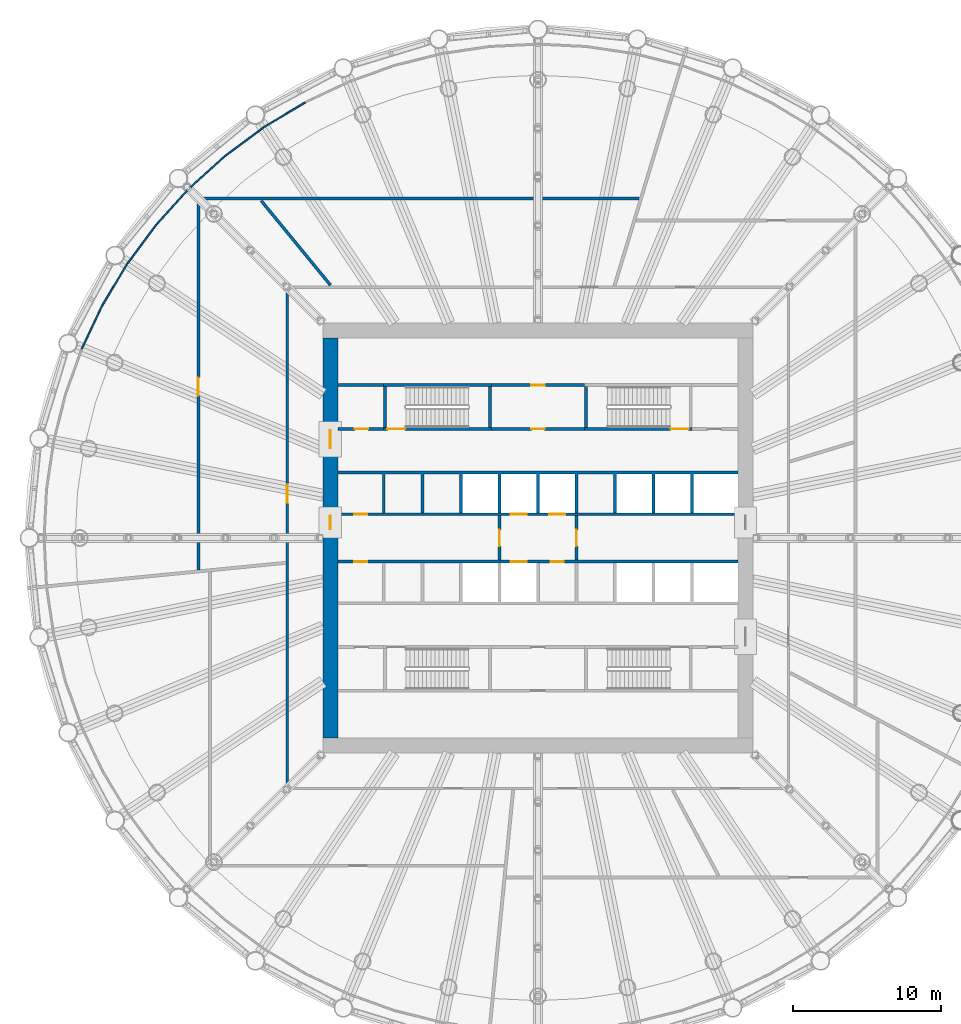
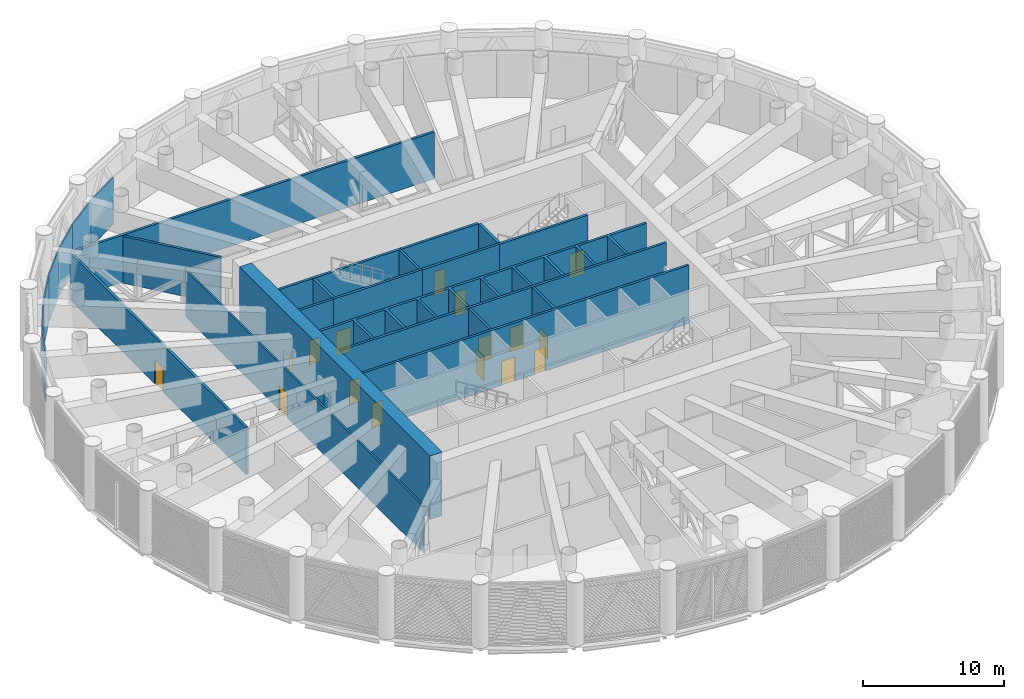
# One storey, part 13 of 29: 27 walls, 17 doors, 17 openings.
"""IFC4 building model written with IfcOpenShell, lengths in metres."""

from ifc_helpers import new_model, si_unit, direction, frame, frame_2d, origin, place, context, subcontext, project, spatial, polyline, rectangle, outline, extrude, material, layer, layer_set, type_object, element, fill, save


model = new_model("IFC4")

# Units and contexts
model_context = context("Model", 3, precision=1e-05, world=origin(), true_north=direction((0.0, 1.0)))
body_context = subcontext(model_context, "Body", "Model", "MODEL_VIEW")
ifc_project = project(units=[si_unit("LENGTHUNIT", "METRE"), si_unit("AREAUNIT", "SQUARE_METRE"), si_unit("VOLUMEUNIT", "CUBIC_METRE"), si_unit("PLANEANGLEUNIT", "RADIAN"), si_unit("MASSUNIT", "GRAM", prefix="KILO")], contexts=[model_context])

# Site, building, storey
site_placement = place(None, origin())
site = spatial("IfcSite", under=ifc_project, at=site_placement, CompositionType="ELEMENT")
building_placement = place(site_placement, origin())
building = spatial("IfcBuilding", under=site, at=building_placement, Name="Corvane Civic Tower", CompositionType="ELEMENT")
storey_placement = place(building_placement, frame((0.0, 0.0, 138.5)))
storey = spatial("IfcBuildingStorey", under=building, at=storey_placement, Name="L32", CompositionType="ELEMENT", Elevation=138.5)

# Wall, openings, doors
ifc_material_1 = material(Name="Concrete C70/85", Category="concrete")
ifc_layer_1 = layer(ifc_material_1, 1.0)
ifc_layer_set_1 = layer_set([ifc_layer_1], Name="Concrete C70/85")
wall_type_1 = type_object("IfcWallType", Name="CORE WALL 1000 C70/85", PredefinedType="SHEAR", material=ifc_layer_set_1)
wall_1_placement = place(storey_placement, frame((-14.0, -13.5, 0.0), z_axis=(0.0, 0.0, 1.0), x_axis=(0.0, 1.0, 0.0)))
wall_1 = element("IfcWall", 1, at=wall_1_placement, inside=storey, type_object=wall_type_1, Name="W-L32-core-W", PredefinedType="SHEAR", context=body_context, shape_type="SweptSolid", body=[
    extrude(rectangle(XDim=27.0, YDim=1.0, at=frame_2d((13.5, 0.0))), origin(), (0.0, 0.0, 1.0), 5.5),
])
opening_1_placement = place(wall_1_placement, frame((14.10009765625, 0.0, 0.0)))
opening_1 = element("IfcOpeningElement", 2, at=opening_1_placement, cuts=wall_1, Name="Opening L32.C18", PredefinedType="OPENING", context=body_context, shape_type="SweptSolid", body=[
    extrude(rectangle(XDim=0.89990234375, YDim=2.10009765625, at=frame_2d((0.449951171875, 1.050048828125))), frame((0.0, 0.510009765625, 0.0), z_axis=(0.0, -1.0, 0.0), x_axis=(1.0, 0.0, 0.0)), (0.0, 0.0, 1.0), 1.02001953125),
])
opening_2_placement = place(wall_1_placement, frame((19.550048828125, 0.0, 0.0)))
opening_2 = element("IfcOpeningElement", 3, at=opening_2_placement, cuts=wall_1, Name="Opening L32.C20", PredefinedType="OPENING", context=body_context, shape_type="SweptSolid", body=[
    extrude(rectangle(XDim=1.199951171875, YDim=2.10009765625, at=frame_2d((0.60009765625, 1.050048828125))), frame((0.0, 0.510009765625, 0.0), z_axis=(0.0, -1.0, 0.0), x_axis=(1.0, 0.0, 0.0)), (0.0, 0.0, 1.0), 1.02001953125),
])
ifc_material_2 = material(Name="Steel fire door leaf", Category="steel")
door_type_1 = type_object("IfcDoorType", Name="CR-DOOR-900", OperationType="SINGLE_SWING_LEFT", PredefinedType="DOOR", material=ifc_material_2)
door_1_placement = place(opening_1_placement, origin())
door_1 = element("IfcDoor", 4, at=door_1_placement, inside=storey, type_object=door_type_1, Name="L32 door", OperationType="SINGLE_SWING_LEFT", OverallHeight=2.10009765625, OverallWidth=0.89990234375, PredefinedType="DOOR", context=body_context, shape_type="SweptSolid", body=[
    extrude(rectangle(XDim=0.89990234375, YDim=2.10009765625, at=frame_2d((0.449951171875, 1.050048828125))), frame((0.0, 0.02490234375, 0.0), z_axis=(0.0, -1.0, 0.0), x_axis=(1.0, 0.0, 0.0)), (0.0, 0.0, 1.0), 0.050048828125),
])
fill(opening_1, door_1)
ifc_material_3 = material(Name="Steel fire door leaf", Category="steel")
door_type_2 = type_object("IfcDoorType", Name="CR-DOOR-CORE-1800", OperationType="DOUBLE_DOOR_SINGLE_SWING", PredefinedType="DOOR", material=ifc_material_3)
door_2_placement = place(opening_2_placement, origin())
door_2 = element("IfcDoor", 5, at=door_2_placement, inside=storey, type_object=door_type_2, Name="L32 door", OperationType="DOUBLE_DOOR_SINGLE_SWING", OverallHeight=2.10009765625, OverallWidth=1.199951171875, PredefinedType="DOOR", context=body_context, shape_type="SweptSolid", body=[
    extrude(rectangle(XDim=1.199951171875, YDim=2.10009765625, at=frame_2d((0.60009765625, 1.050048828125))), frame((0.0, 0.02490234375, 0.0), z_axis=(0.0, -1.0, 0.0), x_axis=(1.0, 0.0, 0.0)), (0.0, 0.0, 1.0), 0.050048828125),
])
fill(opening_2, door_2)

ifc_material_4 = material(Name="Concrete C30/37", Category="concrete")
ifc_layer_2 = layer(ifc_material_4, 0.199951171875)
ifc_layer_set_2 = layer_set([ifc_layer_2], Name="Concrete C30/37")
wall_type_2 = type_object("IfcWallType", Name="CR-WALL-200", PredefinedType="PARTITIONING", material=ifc_layer_set_2)
wall_2_placement = place(storey_placement, frame((-13.5, -1.60009765625, 0.0), z_axis=(0.0, 0.0, 1.0), x_axis=(1.0, 0.0, 0.0)))
wall_2 = element("IfcWall", 6, at=wall_2_placement, inside=storey, type_object=wall_type_2, Name="L32 lift shaft wall", PredefinedType="PARTITIONING", context=body_context, shape_type="SweptSolid", body=[
    extrude(rectangle(XDim=27.0, YDim=0.199951171875, at=frame_2d((13.5, 0.0))), origin(), (0.0, 0.0, 1.0), 5.050048828125),
])
opening_3_placement = place(wall_2_placement, frame((11.64990234375, 0.0, 0.0)))
opening_3 = element("IfcOpeningElement", 7, at=opening_3_placement, cuts=wall_2, Name="Opening LD", PredefinedType="OPENING", context=body_context, shape_type="SweptSolid", body=[
    extrude(rectangle(XDim=1.10009765625, YDim=2.10009765625, at=frame_2d((0.550048828125, 1.050048828125))), frame((0.0, 0.10986328125, 0.0), z_axis=(0.0, -1.0, 0.0), x_axis=(1.0, 0.0, 0.0)), (0.0, 0.0, 1.0), 0.219970703125),
])
opening_4_placement = place(wall_2_placement, frame((14.35009765625, 0.0, 0.0)))
opening_4 = element("IfcOpeningElement", 8, at=opening_4_placement, cuts=wall_2, Name="Opening L32.C02", PredefinedType="OPENING", context=body_context, shape_type="SweptSolid", body=[
    extrude(rectangle(XDim=0.89990234375, YDim=2.10009765625, at=frame_2d((0.449951171875, 1.050048828125))), frame((0.0, 0.10986328125, 0.0), z_axis=(0.0, -1.0, 0.0), x_axis=(1.0, 0.0, 0.0)), (0.0, 0.0, 1.0), 0.219970703125),
])
opening_5_placement = place(wall_2_placement, frame((1.10009765625, 0.0, 0.0)))
opening_5 = element("IfcOpeningElement", 9, at=opening_5_placement, cuts=wall_2, Name="Opening L32.C03", PredefinedType="OPENING", context=body_context, shape_type="SweptSolid", body=[
    extrude(rectangle(XDim=0.89990234375, YDim=2.10009765625, at=frame_2d((0.449951171875, 1.050048828125))), frame((0.0, 0.10986328125, 0.0), z_axis=(0.0, -1.0, 0.0), x_axis=(1.0, 0.0, 0.0)), (0.0, 0.0, 1.0), 0.219970703125),
])
door_3_placement = place(opening_4_placement, origin())
door_3 = element("IfcDoor", 10, at=door_3_placement, inside=storey, type_object=door_type_1, Name="L32 door", OperationType="SINGLE_SWING_LEFT", OverallHeight=2.10009765625, OverallWidth=0.89990234375, PredefinedType="DOOR", context=body_context, shape_type="SweptSolid", body=[
    extrude(rectangle(XDim=0.89990234375, YDim=2.10009765625, at=frame_2d((0.449951171875, 1.050048828125))), frame((0.0, 0.02490234375, 0.0), z_axis=(0.0, -1.0, 0.0), x_axis=(1.0, 0.0, 0.0)), (0.0, 0.0, 1.0), 0.050048828125),
])
fill(opening_4, door_3)
door_4_placement = place(opening_5_placement, origin())
door_4 = element("IfcDoor", 11, at=door_4_placement, inside=storey, type_object=door_type_1, Name="L32 door", OperationType="SINGLE_SWING_LEFT", OverallHeight=2.10009765625, OverallWidth=0.89990234375, PredefinedType="DOOR", context=body_context, shape_type="SweptSolid", body=[
    extrude(rectangle(XDim=0.89990234375, YDim=2.10009765625, at=frame_2d((0.449951171875, 1.050048828125))), frame((0.0, 0.02490234375, 0.0), z_axis=(0.0, -1.0, 0.0), x_axis=(1.0, 0.0, 0.0)), (0.0, 0.0, 1.0), 0.050048828125),
])
fill(opening_5, door_4)
ifc_material_5 = material(Name="Stainless steel 316 door leaves", Category="steel")
door_type_3 = type_object("IfcDoorType", Name="LD", OperationType="DOUBLE_DOOR_SLIDING", PredefinedType="DOOR", material=ifc_material_5)
door_5_placement = place(opening_3_placement, origin())
door_5 = element("IfcDoor", 12, at=door_5_placement, inside=storey, type_object=door_type_3, Name="L32 landing door", OperationType="DOUBLE_DOOR_SLIDING", OverallHeight=2.10009765625, OverallWidth=1.10009765625, PredefinedType="DOOR", context=body_context, shape_type="SweptSolid", body=[
    extrude(rectangle(XDim=1.10009765625, YDim=2.10009765625, at=frame_2d((0.550048828125, 1.050048828125))), frame((0.0, 0.02490234375, 0.0), z_axis=(0.0, -1.0, 0.0), x_axis=(1.0, 0.0, 0.0)), (0.0, 0.0, 1.0), 0.050048828125),
])
fill(opening_3, door_5)

wall_3_placement = place(storey_placement, frame((-13.5, 1.60009765625, 0.0), z_axis=(0.0, 0.0, 1.0), x_axis=(1.0, 0.0, 0.0)))
wall_3 = element("IfcWall", 13, at=wall_3_placement, inside=storey, type_object=wall_type_2, Name="L32 lift shaft wall", PredefinedType="PARTITIONING", context=body_context, shape_type="SweptSolid", body=[
    extrude(rectangle(XDim=27.0, YDim=0.199951171875, at=frame_2d((13.5, 0.0))), origin(), (0.0, 0.0, 1.0), 5.050048828125),
])
opening_6_placement = place(wall_3_placement, frame((11.64990234375, 0.0, 0.0)))
opening_6 = element("IfcOpeningElement", 14, at=opening_6_placement, cuts=wall_3, Name="Opening LD", PredefinedType="OPENING", context=body_context, shape_type="SweptSolid", body=[
    extrude(rectangle(XDim=1.10009765625, YDim=2.10009765625, at=frame_2d((0.550048828125, 1.050048828125))), frame((0.0, 0.10986328125, 0.0), z_axis=(0.0, -1.0, 0.0), x_axis=(1.0, 0.0, 0.0)), (0.0, 0.0, 1.0), 0.219970703125),
])
opening_7_placement = place(wall_3_placement, frame((14.25, 0.0, 0.0)))
opening_7 = element("IfcOpeningElement", 15, at=opening_7_placement, cuts=wall_3, Name="Opening LD", PredefinedType="OPENING", context=body_context, shape_type="SweptSolid", body=[
    extrude(rectangle(XDim=1.10009765625, YDim=2.10009765625, at=frame_2d((0.550048828125, 1.050048828125))), frame((0.0, 0.10986328125, 0.0), z_axis=(0.0, -1.0, 0.0), x_axis=(1.0, 0.0, 0.0)), (0.0, 0.0, 1.0), 0.219970703125),
])
opening_8_placement = place(wall_3_placement, frame((1.10009765625, 0.0, 0.0)))
opening_8 = element("IfcOpeningElement", 16, at=opening_8_placement, cuts=wall_3, Name="Opening L32.C01", PredefinedType="OPENING", context=body_context, shape_type="SweptSolid", body=[
    extrude(rectangle(XDim=0.89990234375, YDim=2.10009765625, at=frame_2d((0.449951171875, 1.050048828125))), frame((0.0, 0.10986328125, 0.0), z_axis=(0.0, -1.0, 0.0), x_axis=(1.0, 0.0, 0.0)), (0.0, 0.0, 1.0), 0.219970703125),
])
door_6_placement = place(opening_8_placement, origin())
door_6 = element("IfcDoor", 17, at=door_6_placement, inside=storey, type_object=door_type_1, Name="L32 door", OperationType="SINGLE_SWING_LEFT", OverallHeight=2.10009765625, OverallWidth=0.89990234375, PredefinedType="DOOR", context=body_context, shape_type="SweptSolid", body=[
    extrude(rectangle(XDim=0.89990234375, YDim=2.10009765625, at=frame_2d((0.449951171875, 1.050048828125))), frame((0.0, 0.02490234375, 0.0), z_axis=(0.0, -1.0, 0.0), x_axis=(1.0, 0.0, 0.0)), (0.0, 0.0, 1.0), 0.050048828125),
])
fill(opening_8, door_6)
door_7_placement = place(opening_6_placement, origin())
door_7 = element("IfcDoor", 18, at=door_7_placement, inside=storey, type_object=door_type_3, Name="L32 landing door", OperationType="DOUBLE_DOOR_SLIDING", OverallHeight=2.10009765625, OverallWidth=1.10009765625, PredefinedType="DOOR", context=body_context, shape_type="SweptSolid", body=[
    extrude(rectangle(XDim=1.10009765625, YDim=2.10009765625, at=frame_2d((0.550048828125, 1.050048828125))), frame((0.0, 0.02490234375, 0.0), z_axis=(0.0, -1.0, 0.0), x_axis=(1.0, 0.0, 0.0)), (0.0, 0.0, 1.0), 0.050048828125),
])
fill(opening_6, door_7)
door_8_placement = place(opening_7_placement, origin())
door_8 = element("IfcDoor", 19, at=door_8_placement, inside=storey, type_object=door_type_3, Name="L32 landing door", OperationType="DOUBLE_DOOR_SLIDING", OverallHeight=2.10009765625, OverallWidth=1.10009765625, PredefinedType="DOOR", context=body_context, shape_type="SweptSolid", body=[
    extrude(rectangle(XDim=1.10009765625, YDim=2.10009765625, at=frame_2d((0.550048828125, 1.050048828125))), frame((0.0, 0.02490234375, 0.0), z_axis=(0.0, -1.0, 0.0), x_axis=(1.0, 0.0, 0.0)), (0.0, 0.0, 1.0), 0.050048828125),
])
fill(opening_7, door_8)

# Wall, opening, door
wall_4_placement = place(storey_placement, frame((-13.5, 7.35009765625, 0.0), z_axis=(0.0, 0.0, 1.0), x_axis=(1.0, 0.0, 0.0)))
wall_4 = element("IfcWall", 20, at=wall_4_placement, inside=storey, type_object=wall_type_2, Name="L32 core partition wall", PredefinedType="PARTITIONING", context=body_context, shape_type="SweptSolid", body=[
    extrude(rectangle(XDim=3.10009765625, YDim=0.199951171875, at=frame_2d((1.550048828125, 0.0))), origin(), (0.0, 0.0, 1.0), 5.050048828125),
])
opening_9_placement = place(wall_4_placement, frame((1.14990234375, 0.0, 0.0)))
opening_9 = element("IfcOpeningElement", 21, at=opening_9_placement, cuts=wall_4, Name="Opening L32.C08", PredefinedType="OPENING", context=body_context, shape_type="SweptSolid", body=[
    extrude(rectangle(XDim=0.89990234375, YDim=2.10009765625, at=frame_2d((0.449951171875, 1.050048828125))), frame((0.0, 0.10986328125, 0.0), z_axis=(0.0, -1.0, 0.0), x_axis=(1.0, 0.0, 0.0)), (0.0, 0.0, 1.0), 0.219970703125),
])
door_9_placement = place(opening_9_placement, origin())
door_9 = element("IfcDoor", 22, at=door_9_placement, inside=storey, type_object=door_type_1, Name="L32 door", OperationType="SINGLE_SWING_LEFT", OverallHeight=2.10009765625, OverallWidth=0.89990234375, PredefinedType="DOOR", context=body_context, shape_type="SweptSolid", body=[
    extrude(rectangle(XDim=0.89990234375, YDim=2.10009765625, at=frame_2d((0.449951171875, 1.050048828125))), frame((0.0, 0.02490234375, 0.0), z_axis=(0.0, -1.0, 0.0), x_axis=(1.0, 0.0, 0.0)), (0.0, 0.0, 1.0), 0.050048828125),
])
fill(opening_9, door_9)

wall_5_placement = place(storey_placement, frame((-3.14990234375, 7.35009765625, 0.0), z_axis=(0.0, 0.0, 1.0), x_axis=(1.0, 0.0, 0.0)))
wall_5 = element("IfcWall", 23, at=wall_5_placement, inside=storey, type_object=wall_type_2, Name="L32 core partition wall", PredefinedType="PARTITIONING", context=body_context, shape_type="SweptSolid", body=[
    extrude(rectangle(XDim=6.2998046875, YDim=0.199951171875, at=frame_2d((3.14990234375, 0.0))), origin(), (0.0, 0.0, 1.0), 5.050048828125),
])
opening_10_placement = place(wall_5_placement, frame((2.699951171875, 0.0, 0.0)))
opening_10 = element("IfcOpeningElement", 24, at=opening_10_placement, cuts=wall_5, Name="Opening L32.C04", PredefinedType="OPENING", context=body_context, shape_type="SweptSolid", body=[
    extrude(rectangle(XDim=0.89990234375, YDim=2.10009765625, at=frame_2d((0.449951171875, 1.050048828125))), frame((0.0, 0.10986328125, 0.0), z_axis=(0.0, -1.0, 0.0), x_axis=(1.0, 0.0, 0.0)), (0.0, 0.0, 1.0), 0.219970703125),
])
door_10_placement = place(opening_10_placement, origin())
door_10 = element("IfcDoor", 25, at=door_10_placement, inside=storey, type_object=door_type_1, Name="L32 door", OperationType="SINGLE_SWING_LEFT", OverallHeight=2.10009765625, OverallWidth=0.89990234375, PredefinedType="DOOR", context=body_context, shape_type="SweptSolid", body=[
    extrude(rectangle(XDim=0.89990234375, YDim=2.10009765625, at=frame_2d((0.449951171875, 1.050048828125))), frame((0.0, 0.02490234375, 0.0), z_axis=(0.0, -1.0, 0.0), x_axis=(1.0, 0.0, 0.0)), (0.0, 0.0, 1.0), 0.050048828125),
])
fill(opening_10, door_10)

wall_6_placement = place(storey_placement, frame((-3.14990234375, 10.300048828125, 0.0), z_axis=(0.0, 0.0, 1.0), x_axis=(1.0, 0.0, 0.0)))
wall_6 = element("IfcWall", 26, at=wall_6_placement, inside=storey, type_object=wall_type_2, Name="L32 partition wall", PredefinedType="PARTITIONING", context=body_context, shape_type="SweptSolid", body=[
    extrude(rectangle(XDim=6.2998046875, YDim=0.199951171875, at=frame_2d((3.14990234375, 0.0))), origin(), (0.0, 0.0, 1.0), 5.050048828125),
])
opening_11_placement = place(wall_6_placement, frame((2.699951171875, 0.0, 0.0)))
opening_11 = element("IfcOpeningElement", 27, at=opening_11_placement, cuts=wall_6, Name="Opening L32.C06", PredefinedType="OPENING", context=body_context, shape_type="SweptSolid", body=[
    extrude(rectangle(XDim=0.89990234375, YDim=2.10009765625, at=frame_2d((0.449951171875, 1.050048828125))), frame((0.0, 0.10986328125, 0.0), z_axis=(0.0, -1.0, 0.0), x_axis=(1.0, 0.0, 0.0)), (0.0, 0.0, 1.0), 0.219970703125),
])
door_11_placement = place(opening_11_placement, origin())
door_11 = element("IfcDoor", 28, at=door_11_placement, inside=storey, type_object=door_type_1, Name="L32 door", OperationType="SINGLE_SWING_LEFT", OverallHeight=2.10009765625, OverallWidth=0.89990234375, PredefinedType="DOOR", context=body_context, shape_type="SweptSolid", body=[
    extrude(rectangle(XDim=0.89990234375, YDim=2.10009765625, at=frame_2d((0.449951171875, 1.050048828125))), frame((0.0, 0.02490234375, 0.0), z_axis=(0.0, -1.0, 0.0), x_axis=(1.0, 0.0, 0.0)), (0.0, 0.0, 1.0), 0.050048828125),
])
fill(opening_11, door_11)

wall_7_placement = place(storey_placement, frame((-2.60009765625, -1.5, 0.0), z_axis=(0.0, 0.0, 1.0), x_axis=(0.0, 1.0, 0.0)))
wall_7 = element("IfcWall", 29, at=wall_7_placement, inside=storey, type_object=wall_type_2, Name="L32 firefighting lobby wall", PredefinedType="PARTITIONING", context=body_context, shape_type="SweptSolid", body=[
    extrude(rectangle(XDim=3.0, YDim=0.199951171875, at=frame_2d((1.5, 0.0))), origin(), (0.0, 0.0, 1.0), 5.050048828125),
])
opening_12_placement = place(wall_7_placement, frame((0.949951171875, 0.0, 0.0)))
opening_12 = element("IfcOpeningElement", 30, at=opening_12_placement, cuts=wall_7, Name="Opening L32.C16", PredefinedType="OPENING", context=body_context, shape_type="SweptSolid", body=[
    extrude(rectangle(XDim=1.10009765625, YDim=2.10009765625, at=frame_2d((0.550048828125, 1.050048828125))), frame((0.0, 0.10986328125, 0.0), z_axis=(0.0, -1.0, 0.0), x_axis=(1.0, 0.0, 0.0)), (0.0, 0.0, 1.0), 0.219970703125),
])
ifc_material_6 = material(Name="Steel fire door leaf", Category="steel")
door_type_4 = type_object("IfcDoorType", Name="CR-DOOR-FFL-1100", OperationType="SINGLE_SWING_LEFT", PredefinedType="DOOR", material=ifc_material_6)
door_12_placement = place(opening_12_placement, origin())
door_12 = element("IfcDoor", 31, at=door_12_placement, inside=storey, type_object=door_type_4, Name="L32 lobby door", OperationType="SINGLE_SWING_LEFT", OverallHeight=2.10009765625, OverallWidth=1.10009765625, PredefinedType="DOOR", context=body_context, shape_type="SweptSolid", body=[
    extrude(rectangle(XDim=1.10009765625, YDim=2.10009765625, at=frame_2d((0.550048828125, 1.050048828125))), frame((0.0, 0.02490234375, 0.0), z_axis=(0.0, -1.0, 0.0), x_axis=(1.0, 0.0, 0.0)), (0.0, 0.0, 1.0), 0.050048828125),
])
fill(opening_12, door_12)

wall_8_placement = place(storey_placement, frame((2.60009765625, -1.5, 0.0), z_axis=(0.0, 0.0, 1.0), x_axis=(0.0, 1.0, 0.0)))
wall_8 = element("IfcWall", 32, at=wall_8_placement, inside=storey, type_object=wall_type_2, Name="L32 firefighting lobby wall", PredefinedType="PARTITIONING", context=body_context, shape_type="SweptSolid", body=[
    extrude(rectangle(XDim=3.0, YDim=0.199951171875, at=frame_2d((1.5, 0.0))), origin(), (0.0, 0.0, 1.0), 5.050048828125),
])
opening_13_placement = place(wall_8_placement, frame((0.949951171875, 0.0, 0.0)))
opening_13 = element("IfcOpeningElement", 33, at=opening_13_placement, cuts=wall_8, Name="Opening L32.C17", PredefinedType="OPENING", context=body_context, shape_type="SweptSolid", body=[
    extrude(rectangle(XDim=1.10009765625, YDim=2.10009765625, at=frame_2d((0.550048828125, 1.050048828125))), frame((0.0, 0.10986328125, 0.0), z_axis=(0.0, -1.0, 0.0), x_axis=(1.0, 0.0, 0.0)), (0.0, 0.0, 1.0), 0.219970703125),
])
door_13_placement = place(opening_13_placement, origin())
door_13 = element("IfcDoor", 34, at=door_13_placement, inside=storey, type_object=door_type_4, Name="L32 lobby door", OperationType="SINGLE_SWING_LEFT", OverallHeight=2.10009765625, OverallWidth=1.10009765625, PredefinedType="DOOR", context=body_context, shape_type="SweptSolid", body=[
    extrude(rectangle(XDim=1.10009765625, YDim=2.10009765625, at=frame_2d((0.550048828125, 1.050048828125))), frame((0.0, 0.02490234375, 0.0), z_axis=(0.0, -1.0, 0.0), x_axis=(1.0, 0.0, 0.0)), (0.0, 0.0, 1.0), 0.050048828125),
])
fill(opening_13, door_13)

# Walls
wall_9_placement = place(storey_placement, origin())
element("IfcWall", 35, at=wall_9_placement, inside=storey, type_object=wall_type_2, Name="L32 core partition wall", PredefinedType="PARTITIONING", context=body_context, shape_type="SweptSolid", body=[
    extrude(outline(polyline([(-13.5, 10.199951171875), (-13.5, 10.39990234375), (-10.39990234375, 10.39990234375), (-10.39990234375, 10.199951171875), (-13.5, 10.199951171875)])), origin(), (0.0, 0.0, 1.0), 5.050048828125),
])
wall_10_placement = place(storey_placement, origin())
element("IfcWall", 36, at=wall_10_placement, inside=storey, type_object=wall_type_2, Name="L32 core partition wall", PredefinedType="PARTITIONING", context=body_context, shape_type="SweptSolid", body=[
    extrude(outline(polyline([(-7.699951171875, 4.300048828125), (-7.699951171875, 1.699951171875), (-7.89990234375, 1.699951171875), (-7.89990234375, 4.300048828125), (-10.300048828125, 4.300048828125), (-10.300048828125, 1.699951171875), (-10.5, 1.699951171875), (-10.5, 4.300048828125), (-13.5, 4.300048828125), (-13.5, 4.5), (13.5, 4.5), (13.5, 4.300048828125), (10.5, 4.300048828125), (10.5, 1.699951171875), (10.300048828125, 1.699951171875), (10.300048828125, 4.300048828125), (7.89990234375, 4.300048828125), (7.89990234375, 1.699951171875), (7.699951171875, 1.699951171875), (7.699951171875, 4.300048828125), (5.300048828125, 4.300048828125), (5.300048828125, 1.699951171875), (5.10009765625, 1.699951171875), (5.10009765625, 4.300048828125), (2.699951171875, 4.300048828125), (2.699951171875, 1.699951171875), (2.5, 1.699951171875), (2.5, 4.300048828125), (0.10009765625, 4.300048828125), (0.10009765625, 1.699951171875), (-0.10009765625, 1.699951171875), (-0.10009765625, 4.300048828125), (-2.5, 4.300048828125), (-2.5, 1.699951171875), (-2.699951171875, 1.699951171875), (-2.699951171875, 4.300048828125), (-5.10009765625, 4.300048828125), (-5.10009765625, 1.699951171875), (-5.300048828125, 1.699951171875), (-5.300048828125, 4.300048828125), (-7.699951171875, 4.300048828125)])), origin(), (0.0, 0.0, 1.0), 5.050048828125),
])
ifc_material_7 = material(Name="Plasterboard")
ifc_layer_3 = layer(ifc_material_7, 0.10009765625)
ifc_layer_set_3 = layer_set([ifc_layer_3], Name="Plasterboard")
wall_type_3 = type_object("IfcWallType", Name="Partition 100 plasterboard on studs", PredefinedType="PARTITIONING", material=ifc_layer_set_3)
for number, where, z_axis, x_axis, name in (
    (37, (-18.499755859375, 27.68701171875, 0.0), (0.0, 0.0, 1.0), (0.857776264254, 0.514023229516, 0.0), "Partition L32.063"),
    (38, (-21.12451171875, 25.740234375, 0.0), (0.0, 0.0, 1.0), (0.803189122882, 0.595724124813, 0.0), "Partition L32.065"),
    (39, (-23.545654296875, 23.545654296875, 0.0), (0.0, 0.0, 1.0), (0.740923051938, 0.671589927788, 0.0), "Partition L32.067"),
    (40, (-25.740234375, 21.12451171875, 0.0), (0.0, 0.0, 1.0), (0.671589927788, 0.740923051938, 0.0), "Partition L32.069"),
    (41, (-27.68701171875, 18.499755859375, 0.0), (0.0, 0.0, 1.0), (0.595724124813, 0.803189122882, 0.0), "Partition L32.071"),
    (42, (-29.36669921875, 15.69677734375, 0.0), (0.0, 0.0, 1.0), (0.514023229516, 0.857776264254, 0.0), "Partition L32.073"),
    (43, (-30.76416015625, 12.742919921875, 0.0), (0.0, 0.0, 1.0), (0.427652727974, 0.903943108971, 0.0), "Partition L32.075"),
):
    element("IfcWall", number, at=place(storey_placement, frame(where, z_axis=z_axis, x_axis=x_axis)), inside=storey, type_object=wall_type_3, Name=name, PredefinedType="PARTITIONING", context=body_context, shape_type="SweptSolid", body=[
        extrude(rectangle(XDim=3.267822265625, YDim=0.10009765625, at=frame_2d((1.6337890625, 0.0))), origin(), (0.0, 0.0, 1.0), 4.050048828125),
    ])

# Wall, opening, door
ifc_material_8 = material(Name="Gypsum fibreboard")
ifc_layer_4 = layer(ifc_material_8, 0.199951171875)
ifc_layer_set_4 = layer_set([ifc_layer_4], Name="Gypsum fibreboard")
wall_type_4 = type_object("IfcWallType", Name="Plant and refuge wall 200 EI 120", PredefinedType="PARTITIONING", material=ifc_layer_set_4)
wall_11_placement = place(storey_placement, frame((-22.89990234375, -2.14501953125, 0.0), z_axis=(0.0, 0.0, 1.0), x_axis=(0.0, 1.0, 0.0)))
wall_11 = element("IfcWall", 44, at=wall_11_placement, inside=storey, type_object=wall_type_4, Name="Partition L32.013", PredefinedType="PARTITIONING", context=body_context, shape_type="SweptSolid", body=[
    extrude(rectangle(XDim=24.945068359375, YDim=0.199951171875, at=frame_2d((12.47265625, 0.0))), origin(), (0.0, 0.0, 1.0), 4.050048828125),
])
opening_14_placement = place(wall_11_placement, frame((11.75048828125, 0.0, 0.0)))
opening_14 = element("IfcOpeningElement", 45, at=opening_14_placement, cuts=wall_11, Name="Opening L32.009", PredefinedType="OPENING", context=body_context, shape_type="SweptSolid", body=[
    extrude(rectangle(XDim=1.199951171875, YDim=2.10009765625, at=frame_2d((0.60009765625, 1.050048828125))), frame((0.0, 0.10986328125, 0.0), z_axis=(0.0, -1.0, 0.0), x_axis=(1.0, 0.0, 0.0)), (0.0, 0.0, 1.0), 0.219970703125),
])
ifc_material_9 = material(Name="Steel and timber", Category="steel")
door_type_5 = type_object("IfcDoorType", Name="Fire door FD60 1200", OperationType="NOTDEFINED", PredefinedType="DOOR", material=ifc_material_9)
door_14_placement = place(opening_14_placement, origin())
door_14 = element("IfcDoor", 46, at=door_14_placement, inside=storey, type_object=door_type_5, Name="Door L32.009", OperationType="SINGLE_SWING_LEFT", OverallHeight=2.10009765625, OverallWidth=1.199951171875, PredefinedType="DOOR", context=body_context, shape_type="SweptSolid", body=[
    extrude(rectangle(XDim=1.199951171875, YDim=2.10009765625, at=frame_2d((0.60009765625, 1.050048828125))), frame((0.0, 0.02490234375, 0.0), z_axis=(0.0, -1.0, 0.0), x_axis=(1.0, 0.0, 0.0)), (0.0, 0.0, 1.0), 0.050048828125),
])
fill(opening_14, door_14)

# Walls
wall_12_placement = place(storey_placement, frame((-18.659423828125, 22.736572265625, 0.0), z_axis=(0.0, 0.0, 1.0), x_axis=(0.634380559095, -0.773020896381, 0.0)))
element("IfcWall", 47, at=wall_12_placement, inside=storey, type_object=wall_type_4, Name="Partition L32.017", PredefinedType="PARTITIONING", context=body_context, shape_type="SweptSolid", body=[
    extrude(rectangle(XDim=7.371337890625, YDim=0.199951171875, at=frame_2d((3.685546875, 0.0))), origin(), (0.0, 0.0, 1.0), 4.050048828125),
])
wall_13_placement = place(storey_placement, frame((-22.800048828125, 22.89990234375, 0.0), z_axis=(0.0, 0.0, 1.0), x_axis=(1.0, 0.0, 0.0)))
element("IfcWall", 48, at=wall_13_placement, inside=storey, type_object=wall_type_4, Name="Partition L32.019", PredefinedType="PARTITIONING", context=body_context, shape_type="SweptSolid", body=[
    extrude(rectangle(XDim=29.61181640625, YDim=0.199951171875, at=frame_2d((14.805908203125, 0.0))), origin(), (0.0, 0.0, 1.0), 4.050048828125),
])

# Wall, opening, door
ifc_material_10 = material(Name="Concrete C50/60", Category="concrete")
ifc_layer_5 = layer(ifc_material_10, 0.199951171875)
ifc_layer_set_5 = layer_set([ifc_layer_5], Name="Concrete C50/60")
wall_type_5 = type_object("IfcWallType", Name="ST-WALL-200", PredefinedType="SHEAR", material=ifc_layer_set_5)
wall_14_placement = place(storey_placement, frame((-10.39990234375, 7.35009765625, 0.0), z_axis=(0.0, 0.0, 1.0), x_axis=(1.0, 0.0, 0.0)))
wall_14 = element("IfcWall", 49, at=wall_14_placement, inside=storey, type_object=wall_type_5, Name="L32 stair enclosure wall", PredefinedType="SHEAR", context=body_context, shape_type="SweptSolid", body=[
    extrude(rectangle(XDim=7.25, YDim=0.199951171875, at=frame_2d((3.625, 0.0))), origin(), (0.0, 0.0, 1.0), 5.050048828125),
])
opening_15_placement = place(wall_14_placement, frame((0.25, 0.0, 0.0)))
opening_15 = element("IfcOpeningElement", 50, at=opening_15_placement, cuts=wall_14, Name="Opening L32.C13", PredefinedType="OPENING", context=body_context, shape_type="SweptSolid", body=[
    extrude(rectangle(XDim=1.199951171875, YDim=2.10009765625, at=frame_2d((0.60009765625, 1.050048828125))), frame((0.0, 0.10986328125, 0.0), z_axis=(0.0, -1.0, 0.0), x_axis=(1.0, 0.0, 0.0)), (0.0, 0.0, 1.0), 0.219970703125),
])
ifc_material_11 = material(Name="Steel fire door leaf", Category="steel")
door_type_6 = type_object("IfcDoorType", Name="ST-DOOR-1200", OperationType="SINGLE_SWING_RIGHT", PredefinedType="DOOR", material=ifc_material_11)
door_15_placement = place(opening_15_placement, origin())
door_15 = element("IfcDoor", 51, at=door_15_placement, inside=storey, type_object=door_type_6, Name="L32 stair door", OperationType="SINGLE_SWING_RIGHT", OverallHeight=2.10009765625, OverallWidth=1.199951171875, PredefinedType="DOOR", context=body_context, shape_type="SweptSolid", body=[
    extrude(rectangle(XDim=1.199951171875, YDim=2.10009765625, at=frame_2d((0.60009765625, 1.050048828125))), frame((0.0, 0.02490234375, 0.0), z_axis=(0.0, -1.0, 0.0), x_axis=(1.0, 0.0, 0.0)), (0.0, 0.0, 1.0), 0.050048828125),
])
fill(opening_15, door_15)

wall_15_placement = place(storey_placement, frame((3.14990234375, 7.35009765625, 0.0), z_axis=(0.0, 0.0, 1.0), x_axis=(1.0, 0.0, 0.0)))
wall_15 = element("IfcWall", 52, at=wall_15_placement, inside=storey, type_object=wall_type_5, Name="L32 stair enclosure wall", PredefinedType="SHEAR", context=body_context, shape_type="SweptSolid", body=[
    extrude(rectangle(XDim=7.25, YDim=0.199951171875, at=frame_2d((3.625, 0.0))), origin(), (0.0, 0.0, 1.0), 5.050048828125),
])
opening_16_placement = place(wall_15_placement, frame((5.800048828125, 0.0, 0.0)))
opening_16 = element("IfcOpeningElement", 53, at=opening_16_placement, cuts=wall_15, Name="Opening L32.C12", PredefinedType="OPENING", context=body_context, shape_type="SweptSolid", body=[
    extrude(rectangle(XDim=1.199951171875, YDim=2.10009765625, at=frame_2d((0.60009765625, 1.050048828125))), frame((0.0, 0.10986328125, 0.0), z_axis=(0.0, -1.0, 0.0), x_axis=(1.0, 0.0, 0.0)), (0.0, 0.0, 1.0), 0.219970703125),
])
door_16_placement = place(opening_16_placement, origin())
door_16 = element("IfcDoor", 54, at=door_16_placement, inside=storey, type_object=door_type_6, Name="L32 stair door", OperationType="SINGLE_SWING_RIGHT", OverallHeight=2.10009765625, OverallWidth=1.199951171875, PredefinedType="DOOR", context=body_context, shape_type="SweptSolid", body=[
    extrude(rectangle(XDim=1.199951171875, YDim=2.10009765625, at=frame_2d((0.60009765625, 1.050048828125))), frame((0.0, 0.02490234375, 0.0), z_axis=(0.0, -1.0, 0.0), x_axis=(1.0, 0.0, 0.0)), (0.0, 0.0, 1.0), 0.050048828125),
])
fill(opening_16, door_16)

# Walls
wall_16_placement = place(storey_placement, origin())
element("IfcWall", 55, at=wall_16_placement, inside=storey, type_object=wall_type_5, Name="L32 stair enclosure wall", PredefinedType="SHEAR", context=body_context, shape_type="SweptSolid", body=[
    extrude(outline(polyline([(-3.14990234375, 10.199951171875), (-10.39990234375, 10.199951171875), (-10.39990234375, 10.39990234375), (-3.14990234375, 10.39990234375), (-3.14990234375, 10.199951171875)])), origin(), (0.0, 0.0, 1.0), 5.050048828125),
])
wall_17_placement = place(storey_placement, origin())
element("IfcWall", 56, at=wall_17_placement, inside=storey, type_object=wall_type_5, Name="L32 stair enclosure wall", PredefinedType="SHEAR", context=body_context, shape_type="SweptSolid", body=[
    extrude(outline(polyline([(-3.14990234375, 7.449951171875), (-3.35009765625, 7.449951171875), (-3.35009765625, 10.199951171875), (-3.14990234375, 10.199951171875), (-3.14990234375, 7.449951171875)])), origin(), (0.0, 0.0, 1.0), 5.050048828125),
])
wall_18_placement = place(storey_placement, origin())
element("IfcWall", 57, at=wall_18_placement, inside=storey, type_object=wall_type_5, Name="L32 stair enclosure wall", PredefinedType="SHEAR", context=body_context, shape_type="SweptSolid", body=[
    extrude(outline(polyline([(3.35009765625, 7.449951171875), (3.14990234375, 7.449951171875), (3.14990234375, 10.199951171875), (3.35009765625, 10.199951171875), (3.35009765625, 7.449951171875)])), origin(), (0.0, 0.0, 1.0), 5.050048828125),
])
wall_19_placement = place(storey_placement, origin())
element("IfcWall", 58, at=wall_19_placement, inside=storey, type_object=wall_type_5, Name="L32 stair enclosure wall", PredefinedType="SHEAR", context=body_context, shape_type="SweptSolid", body=[
    extrude(outline(polyline([(-10.199951171875, 7.449951171875), (-10.39990234375, 7.449951171875), (-10.39990234375, 10.199951171875), (-10.199951171875, 10.199951171875), (-10.199951171875, 7.449951171875)])), origin(), (0.0, 0.0, 1.0), 5.050048828125),
])

# Wall, opening, door
ifc_material_12 = material(Name="Plasterboard")
ifc_layer_6 = layer(ifc_material_12, 0.14990234375)
ifc_layer_set_6 = layer_set([ifc_layer_6], Name="Plasterboard")
wall_type_6 = type_object("IfcWallType", Name="Tenancy wall 150 EI 60", PredefinedType="PARTITIONING", material=ifc_layer_set_6)
wall_20_placement = place(storey_placement, frame((-16.89990234375, -16.824951171875, 0.0), z_axis=(0.0, 0.0, 1.0), x_axis=(0.0, 1.0, 0.0)))
wall_20 = element("IfcWall", 59, at=wall_20_placement, inside=storey, type_object=wall_type_6, Name="Partition L32.008", PredefinedType="PARTITIONING", context=body_context, shape_type="SweptSolid", body=[
    extrude(rectangle(XDim=33.64990234375, YDim=0.14990234375, at=frame_2d((16.824951171875, 0.0))), origin(), (0.0, 0.0, 1.0), 4.050048828125),
])
opening_17_placement = place(wall_20_placement, frame((19.2080078125, 0.0, 0.0)))
opening_17 = element("IfcOpeningElement", 60, at=opening_17_placement, cuts=wall_20, Name="Opening L32.010", PredefinedType="OPENING", context=body_context, shape_type="SweptSolid", body=[
    extrude(rectangle(XDim=1.199951171875, YDim=2.10009765625, at=frame_2d((0.60009765625, 1.050048828125))), frame((0.0, 0.0849609375, 0.0), z_axis=(0.0, -1.0, 0.0), x_axis=(1.0, 0.0, 0.0)), (0.0, 0.0, 1.0), 0.169921875),
])
door_17_placement = place(opening_17_placement, origin())
door_17 = element("IfcDoor", 61, at=door_17_placement, inside=storey, type_object=door_type_5, Name="Door L32.010", OperationType="SINGLE_SWING_RIGHT", OverallHeight=2.10009765625, OverallWidth=1.199951171875, PredefinedType="DOOR", context=body_context, shape_type="SweptSolid", body=[
    extrude(rectangle(XDim=1.199951171875, YDim=2.10009765625, at=frame_2d((0.60009765625, 1.050048828125))), frame((0.0, 0.02490234375, 0.0), z_axis=(0.0, -1.0, 0.0), x_axis=(1.0, 0.0, 0.0)), (0.0, 0.0, 1.0), 0.050048828125),
])
fill(opening_17, door_17)

save(model, "model.ifc")
